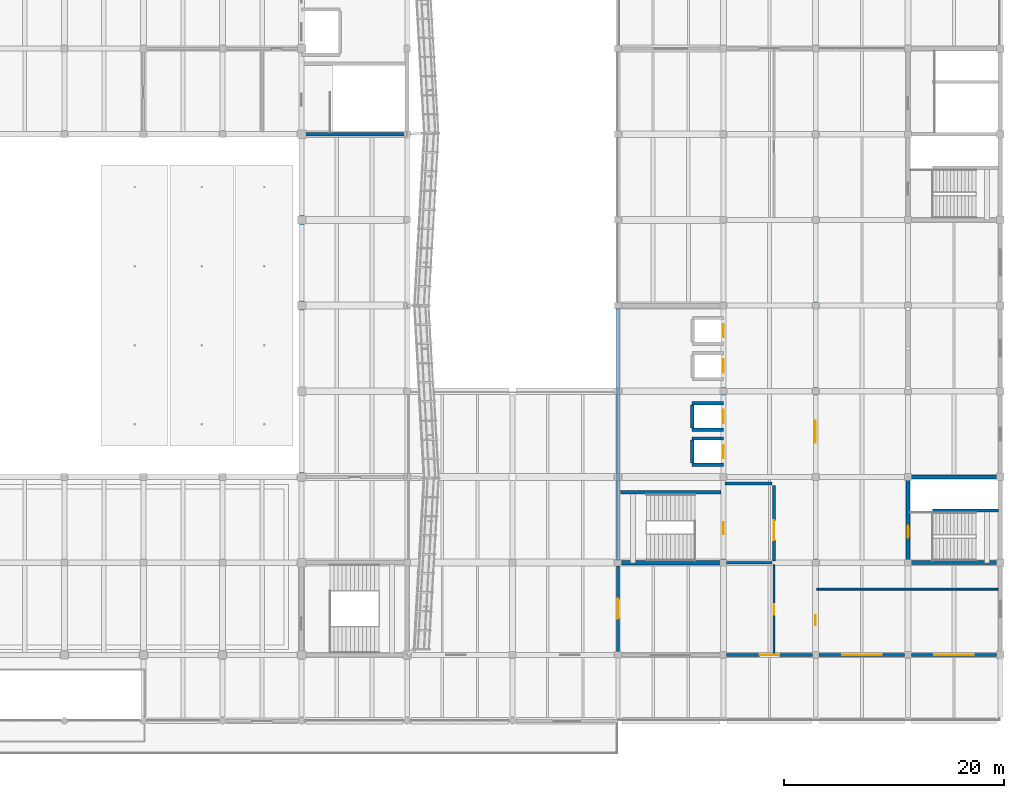
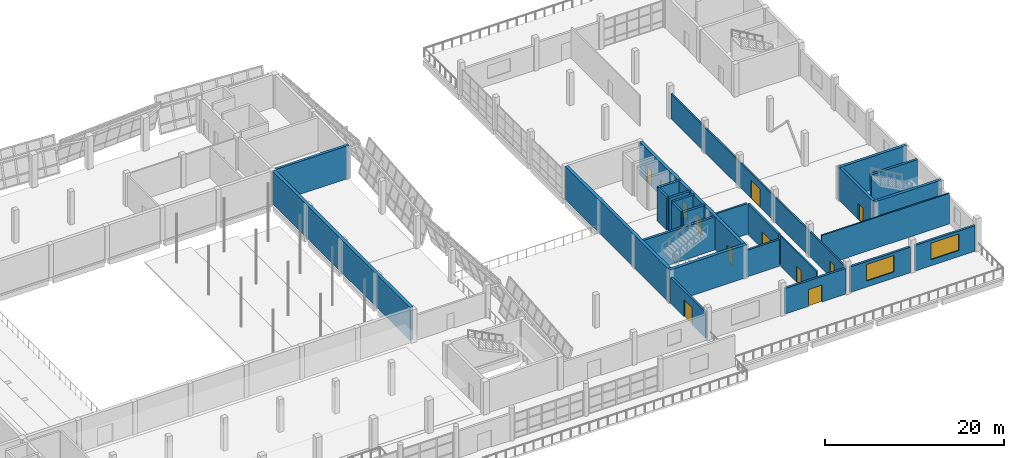
# One storey, part 57 of 71: 26 walls, 12 doors, 2 windows, 14 openings.
"""IFC4 building model written with IfcOpenShell, lengths in metres."""

from ifc_helpers import new_model, si_unit, direction, frame, frame_2d, origin, place, context, subcontext, project, spatial, rectangle, extrude, material, layer, layer_set, type_object, element, fill, save


model = new_model("IFC4")

# Units and contexts
model_context = context("Model", 3, precision=1e-05, world=origin(), true_north=direction((0.0, 1.0)))
body_context = subcontext(model_context, "Body", "Model", "MODEL_VIEW")
ifc_project = project(units=[si_unit("LENGTHUNIT", "METRE"), si_unit("AREAUNIT", "SQUARE_METRE"), si_unit("VOLUMEUNIT", "CUBIC_METRE"), si_unit("PLANEANGLEUNIT", "RADIAN"), si_unit("MASSUNIT", "GRAM", prefix="KILO")], contexts=[model_context])

# Site, building, storey
site_placement = place(None, origin())
site = spatial("IfcSite", under=ifc_project, at=site_placement, CompositionType="ELEMENT")
building_placement = place(site_placement, origin())
building = spatial("IfcBuilding", under=site, at=building_placement, Name="Pellamere Symphony Hall", CompositionType="ELEMENT")
storey_placement = place(building_placement, frame((0.0, 0.0, 15.0)))
storey = spatial("IfcBuildingStorey", under=building, at=storey_placement, Name="L03", CompositionType="ELEMENT", Elevation=15.0)

# Wall, opening, door
ifc_material_1 = material(Name="Architectural Limestone-Clad Insulated Backing Assembly", Category="masonry")
ifc_layer_1 = layer(ifc_material_1, 0.280029296875, Name="Architectural Limestone-Clad Insulated Backing Assembly")
ifc_layer_set_1 = layer_set([ifc_layer_1], Name="Architectural Limestone-Clad Insulated Backing Assembly")
wall_type_1 = type_object("IfcWallType", Name="Exterior Wall EW-03 280mm", PredefinedType="SOLIDWALL", material=ifc_layer_set_1)
wall_1_placement = place(storey_placement, frame((147.89990234375, 30.0, 0.0), z_axis=(0.0, 0.0, 1.0), x_axis=(1.0, 0.0, 0.0)))
wall_1 = element("IfcWall", 1, at=wall_1_placement, inside=storey, type_object=wall_type_1, Name="Exterior Wall EW-03-112 (L03)", PredefinedType="SOLIDWALL", context=body_context, shape_type="SweptSolid", body=[
    extrude(rectangle(XDim=7.800048828125, YDim=0.280029296875, at=frame_2d((3.89990234375, 0.0))), origin(), (0.0, 0.0, 1.0), 3.5),
])
opening_1_placement = place(wall_1_placement, frame((3.0, 0.0, 0.0)))
opening_1 = element("IfcOpeningElement", 2, at=opening_1_placement, cuts=wall_1, Name="Opening TD-09", PredefinedType="OPENING", context=body_context, shape_type="SweptSolid", body=[
    extrude(rectangle(XDim=1.800048828125, YDim=2.300048828125, at=frame_2d((0.89990234375, 1.14990234375))), frame((0.0, 0.14990234375, 0.0), z_axis=(0.0, -1.0, 0.0), x_axis=(1.0, 0.0, 0.0)), (0.0, 0.0, 1.0), 0.300048828125),
])
ifc_material_2 = material(Name="Thermally Broken Bronze-Anodised Aluminium Acoustic Door", Category="aluminium")
door_type_1 = type_object("IfcDoorType", Name="Exterior Door ED-06 1800x2300", OperationType="NOTDEFINED", PredefinedType="DOOR", material=ifc_material_2)
door_1_placement = place(opening_1_placement, frame((1.800048828125, 0.0, 0.0), z_axis=(0.0, 0.0, 1.0), x_axis=(-1.0, 0.0, 0.0)))
door_1 = element("IfcDoor", 3, at=door_1_placement, inside=storey, type_object=door_type_1, Name="Ensemble Wing South Terrace Door", OperationType="DOUBLE_DOOR_SINGLE_SWING", OverallHeight=2.300048828125, OverallWidth=1.800048828125, PredefinedType="DOOR", context=body_context, shape_type="SweptSolid", body=[
    extrude(rectangle(XDim=1.800048828125, YDim=2.300048828125, at=frame_2d((0.89990234375, 1.14990234375))), frame((0.0, 0.02490234375, 0.0), z_axis=(0.0, -1.0, 0.0), x_axis=(1.0, 0.0, 0.0)), (0.0, 0.0, 1.0), 0.050048828125),
])
fill(opening_1, door_1)

# Wall, opening, window
wall_2_placement = place(storey_placement, frame((156.300048828125, 30.0, 0.0), z_axis=(0.0, 0.0, 1.0), x_axis=(1.0, 0.0, 0.0)))
wall_2 = element("IfcWall", 4, at=wall_2_placement, inside=storey, type_object=wall_type_1, Name="Exterior Wall EW-03-113 (L03)", PredefinedType="SOLIDWALL", context=body_context, shape_type="SweptSolid", body=[
    extrude(rectangle(XDim=7.800048828125, YDim=0.280029296875, at=frame_2d((3.89990234375, 0.0))), origin(), (0.0, 0.0, 1.0), 3.5),
])
opening_2_placement = place(wall_2_placement, frame((2.10009765625, 0.0, 0.85009765625)))
opening_2 = element("IfcOpeningElement", 5, at=opening_2_placement, cuts=wall_2, Name="Opening W075", PredefinedType="OPENING", context=body_context, shape_type="SweptSolid", body=[
    extrude(rectangle(XDim=3.60009765625, YDim=2.25, at=frame_2d((1.800048828125, 1.125))), frame((0.0, 0.14990234375, 0.0), z_axis=(0.0, -1.0, 0.0), x_axis=(1.0, 0.0, 0.0)), (0.0, 0.0, 1.0), 0.300048828125),
])
ifc_material_3 = material(Name="Thermally Broken Aluminium Triple-Glazed Acoustic Window", Category="aluminium")
window_type = type_object("IfcWindowType", Name="Window WN-05 3600x2250", PartitioningType="TRIPLE_PANEL_VERTICAL", PredefinedType="WINDOW", material=ifc_material_3)
window_1_placement = place(opening_2_placement, origin())
window_1 = element("IfcWindow", 6, at=window_1_placement, inside=storey, type_object=window_type, Name="Exterior Window W075 (L03)", OverallHeight=2.25, OverallWidth=3.60009765625, PartitioningType="SINGLE_PANEL", PredefinedType="WINDOW", context=body_context, shape_type="SweptSolid", body=[
    extrude(rectangle(XDim=3.60009765625, YDim=2.25, at=frame_2d((1.800048828125, 1.125))), frame((0.0, 0.030029296875, 0.0), z_axis=(0.0, -1.0, 0.0), x_axis=(1.0, 0.0, 0.0)), (0.0, 0.0, 1.0), 0.06005859375),
])
fill(opening_2, window_1)

wall_3_placement = place(storey_placement, frame((164.699951171875, 30.0, 0.0), z_axis=(0.0, 0.0, 1.0), x_axis=(1.0, 0.0, 0.0)))
wall_3 = element("IfcWall", 7, at=wall_3_placement, inside=storey, type_object=wall_type_1, Name="Exterior Wall EW-03-114 (L03)", PredefinedType="SOLIDWALL", context=body_context, shape_type="SweptSolid", body=[
    extrude(rectangle(XDim=7.760009765625, YDim=0.280029296875, at=frame_2d((3.8798828125, 0.0))), origin(), (0.0, 0.0, 1.0), 3.5),
])
opening_3_placement = place(wall_3_placement, frame((2.080078125, 0.0, 0.85009765625)))
opening_3 = element("IfcOpeningElement", 8, at=opening_3_placement, cuts=wall_3, Name="Opening W076", PredefinedType="OPENING", context=body_context, shape_type="SweptSolid", body=[
    extrude(rectangle(XDim=3.60009765625, YDim=2.25, at=frame_2d((1.800048828125, 1.125))), frame((0.0, 0.14990234375, 0.0), z_axis=(0.0, -1.0, 0.0), x_axis=(1.0, 0.0, 0.0)), (0.0, 0.0, 1.0), 0.300048828125),
])
window_2_placement = place(opening_3_placement, origin())
window_2 = element("IfcWindow", 9, at=window_2_placement, inside=storey, type_object=window_type, Name="Exterior Window W076 (L03)", OverallHeight=2.25, OverallWidth=3.60009765625, PartitioningType="SINGLE_PANEL", PredefinedType="WINDOW", context=body_context, shape_type="SweptSolid", body=[
    extrude(rectangle(XDim=3.60009765625, YDim=2.25, at=frame_2d((1.800048828125, 1.125))), frame((0.0, 0.030029296875, 0.0), z_axis=(0.0, -1.0, 0.0), x_axis=(1.0, 0.0, 0.0)), (0.0, 0.0, 1.0), 0.06005859375),
])
fill(opening_3, window_2)

# Wall, opening, door
wall_4_placement = place(storey_placement, frame((138.0, 30.300048828125, 0.0), z_axis=(0.0, 0.0, 1.0), x_axis=(0.0, 1.0, 0.0)))
wall_4 = element("IfcWall", 10, at=wall_4_placement, inside=storey, type_object=wall_type_1, Name="Exterior Wall EW-03-121 (L03)", PredefinedType="SOLIDWALL", context=body_context, shape_type="SweptSolid", body=[
    extrude(rectangle(XDim=7.800048828125, YDim=0.280029296875, at=frame_2d((3.89990234375, 0.0))), origin(), (0.0, 0.0, 1.0), 3.52001953125),
])
opening_4_placement = place(wall_4_placement, frame((3.0, 0.0, 0.0)))
opening_4 = element("IfcOpeningElement", 11, at=opening_4_placement, cuts=wall_4, Name="Opening TD-07", PredefinedType="OPENING", context=body_context, shape_type="SweptSolid", body=[
    extrude(rectangle(XDim=1.800048828125, YDim=2.300048828125, at=frame_2d((0.89990234375, 1.14990234375))), frame((0.0, 0.14990234375, 0.0), z_axis=(0.0, -1.0, 0.0), x_axis=(1.0, 0.0, 0.0)), (0.0, 0.0, 1.0), 0.300048828125),
])
door_2_placement = place(opening_4_placement, origin())
door_2 = element("IfcDoor", 12, at=door_2_placement, inside=storey, type_object=door_type_1, Name="Sculpture Court Belvedere Terrace East Door", OperationType="DOUBLE_DOOR_SINGLE_SWING", OverallHeight=2.300048828125, OverallWidth=1.800048828125, PredefinedType="DOOR", context=body_context, shape_type="SweptSolid", body=[
    extrude(rectangle(XDim=1.800048828125, YDim=2.300048828125, at=frame_2d((0.89990234375, 1.14990234375))), frame((0.0, 0.02490234375, 0.0), z_axis=(0.0, -1.0, 0.0), x_axis=(1.0, 0.0, 0.0)), (0.0, 0.0, 1.0), 0.050048828125),
])
fill(opening_4, door_2)

# Walls
ifc_material_4 = material(Name="Double-Stud STC-65 Acoustic Drywall Partition", Category="gypsum")
ifc_layer_2 = layer(ifc_material_4, 0.239990234375, Name="Double-Stud STC-65 Acoustic Drywall Partition")
ifc_layer_set_2 = layer_set([ifc_layer_2], Name="Double-Stud STC-65 Acoustic Drywall Partition")
wall_type_2 = type_object("IfcWallType", Name="Interior Partition IW-01 240mm", PredefinedType="PARTITIONING", material=ifc_layer_set_2)
wall_5_placement = place(storey_placement, frame((147.760009765625, 38.39990234375, 0.0), z_axis=(0.0, 0.0, 1.0), x_axis=(1.0, 0.0, 0.0)))
element("IfcWall", 13, at=wall_5_placement, inside=storey, type_object=wall_type_2, Name="Interior Partition IW-01-033 (L03)", PredefinedType="PARTITIONING", context=body_context, shape_type="SweptSolid", body=[
    extrude(rectangle(XDim=4.280029296875, YDim=0.239990234375, at=frame_2d((2.14013671875, 0.0))), origin(), (0.0, 0.0, 1.0), 3.639892578125),
])
wall_6_placement = place(storey_placement, frame((147.760009765625, 45.60009765625, 0.0), z_axis=(0.0, 0.0, 1.0), x_axis=(1.0, 0.0, 0.0)))
element("IfcWall", 14, at=wall_6_placement, inside=storey, type_object=wall_type_2, Name="Interior Partition IW-01-034 (L03)", PredefinedType="PARTITIONING", context=body_context, shape_type="SweptSolid", body=[
    extrude(rectangle(XDim=4.280029296875, YDim=0.239990234375, at=frame_2d((2.14013671875, 0.0))), origin(), (0.0, 0.0, 1.0), 4.18994140625),
])

# Wall, opening, door
wall_7_placement = place(storey_placement, frame((152.199951171875, 38.56005859375, 0.0), z_axis=(0.0, 0.0, 1.0), x_axis=(0.0, 1.0, 0.0)))
wall_7 = element("IfcWall", 15, at=wall_7_placement, inside=storey, type_object=wall_type_2, Name="Interior Partition IW-01-035 (L03)", PredefinedType="PARTITIONING", context=body_context, shape_type="SweptSolid", body=[
    extrude(rectangle(XDim=6.8798828125, YDim=0.239990234375, at=frame_2d((3.43994140625, 0.0))), origin(), (0.0, 0.0, 1.0), 4.18994140625),
])
opening_5_placement = place(wall_7_placement, frame((1.89990234375, 0.0, 0.0)))
opening_5 = element("IfcOpeningElement", 16, at=opening_5_placement, cuts=wall_7, Name="Opening FD-15", PredefinedType="OPENING", context=body_context, shape_type="SweptSolid", body=[
    extrude(rectangle(XDim=1.800048828125, YDim=2.300048828125, at=frame_2d((0.89990234375, 1.14990234375))), frame((0.0, 0.1298828125, 0.0), z_axis=(0.0, -1.0, 0.0), x_axis=(1.0, 0.0, 0.0)), (0.0, 0.0, 1.0), 0.260009765625),
])
ifc_material_5 = material(Name="Fire-Rated Cross-Corridor Double Door", Category="wood")
door_type_2 = type_object("IfcDoorType", Name="Interior Door ID-FD1 1800x2300", OperationType="NOTDEFINED", PredefinedType="DOOR", material=ifc_material_5)
door_3_placement = place(opening_5_placement, origin())
door_3 = element("IfcDoor", 17, at=door_3_placement, inside=storey, type_object=door_type_2, Name="Firefighting Lobby C2 Foyer Entry Door (L03)", OperationType="DOUBLE_DOOR_SINGLE_SWING", OverallHeight=2.300048828125, OverallWidth=1.800048828125, PredefinedType="DOOR", context=body_context, shape_type="SweptSolid", body=[
    extrude(rectangle(XDim=1.800048828125, YDim=2.300048828125, at=frame_2d((0.89990234375, 1.14990234375))), frame((0.0, 0.02490234375, 0.0), z_axis=(0.0, -1.0, 0.0), x_axis=(1.0, 0.0, 0.0)), (0.0, 0.0, 1.0), 0.050048828125),
])
fill(opening_5, door_3)

# Wall, openings, doors
ifc_material_6 = material(Name="Fire-Rated STC-58 Corridor Acoustic Partition", Category="gypsum")
ifc_layer_3 = layer(ifc_material_6, 0.199951171875, Name="Fire-Rated STC-58 Corridor Acoustic Partition")
ifc_layer_set_3 = layer_set([ifc_layer_3], Name="Fire-Rated STC-58 Corridor Acoustic Partition")
wall_type_3 = type_object("IfcWallType", Name="Interior Partition IW-02 200mm", PredefinedType="PARTITIONING", material=ifc_layer_set_3)
wall_8_placement = place(storey_placement, frame((156.0, 30.31005859375, 0.0), z_axis=(0.0, 0.0, 1.0), x_axis=(0.0, 1.0, 0.0)))
wall_8 = element("IfcWall", 18, at=wall_8_placement, inside=storey, type_object=wall_type_3, Name="Interior Partition IW-02-094 (L03)", PredefinedType="PARTITIONING", context=body_context, shape_type="SweptSolid", body=[
    extrude(rectangle(XDim=38.97998046875, YDim=0.199951171875, at=frame_2d((19.489990234375, 0.0))), origin(), (0.0, 0.0, 1.0), 3.419921875),
])
opening_6_placement = place(wall_8_placement, frame((2.39990234375, 0.0, 0.0)))
opening_6 = element("IfcOpeningElement", 19, at=opening_6_placement, cuts=wall_8, Name="Opening ID-WC1-055", PredefinedType="OPENING", context=body_context, shape_type="SweptSolid", body=[
    extrude(rectangle(XDim=0.919921875, YDim=2.14990234375, at=frame_2d((0.4599609375, 1.074951171875))), frame((0.0, 0.10986328125, 0.0), z_axis=(0.0, -1.0, 0.0), x_axis=(1.0, 0.0, 0.0)), (0.0, 0.0, 1.0), 0.219970703125),
])
opening_7_placement = place(wall_8_placement, frame((19.0, 0.0, 0.0)))
opening_7 = element("IfcOpeningElement", 20, at=opening_7_placement, cuts=wall_8, Name="Opening ID-AD1-056", PredefinedType="OPENING", context=body_context, shape_type="SweptSolid", body=[
    extrude(rectangle(XDim=2.0, YDim=2.449951171875, at=frame_2d((1.0, 1.22509765625))), frame((0.0, 0.10986328125, 0.0), z_axis=(0.0, -1.0, 0.0), x_axis=(1.0, 0.0, 0.0)), (0.0, 0.0, 1.0), 0.219970703125),
])
ifc_material_7 = material(Name="STC-55 Solid White Oak Acoustic Hall Entry Door", Category="wood")
door_type_3 = type_object("IfcDoorType", Name="Interior Door ID-AD1 2000x2450", OperationType="NOTDEFINED", PredefinedType="DOOR", material=ifc_material_7)
door_4_placement = place(opening_7_placement, origin())
door_4 = element("IfcDoor", 21, at=door_4_placement, inside=storey, type_object=door_type_3, Name="Symphonic Chorus Rehearsal Hall Door", OperationType="DOUBLE_DOOR_SINGLE_SWING", OverallHeight=2.449951171875, OverallWidth=2.0, PredefinedType="DOOR", context=body_context, shape_type="SweptSolid", body=[
    extrude(rectangle(XDim=2.0, YDim=2.449951171875, at=frame_2d((1.0, 1.22509765625))), frame((0.0, 0.02490234375, 0.0), z_axis=(0.0, -1.0, 0.0), x_axis=(1.0, 0.0, 0.0)), (0.0, 0.0, 1.0), 0.050048828125),
])
fill(opening_7, door_4)
ifc_material_8 = material(Name="Accessible Washroom Privacy Door", Category="wood")
door_type_4 = type_object("IfcDoorType", Name="Interior Door ID-WC1 920x2150", OperationType="NOTDEFINED", PredefinedType="DOOR", material=ifc_material_8)
door_5_placement = place(opening_6_placement, origin())
door_5 = element("IfcDoor", 22, at=door_5_placement, inside=storey, type_object=door_type_4, Name="Level 3 Chorus Washrooms Door", OperationType="SINGLE_SWING_LEFT", OverallHeight=2.14990234375, OverallWidth=0.919921875, PredefinedType="DOOR", context=body_context, shape_type="SweptSolid", body=[
    extrude(rectangle(XDim=0.919921875, YDim=2.14990234375, at=frame_2d((0.4599609375, 1.074951171875))), frame((0.0, 0.02490234375, 0.0), z_axis=(0.0, -1.0, 0.0), x_axis=(1.0, 0.0, 0.0)), (0.0, 0.0, 1.0), 0.050048828125),
])
fill(opening_6, door_5)

# Wall, opening, door
ifc_material_9 = material(Name="Practice Room STC-55 Isolated Stud Partition", Category="gypsum")
ifc_layer_4 = layer(ifc_material_9, 0.159912109375, Name="Practice Room STC-55 Isolated Stud Partition")
ifc_layer_set_4 = layer_set([ifc_layer_4], Name="Practice Room STC-55 Isolated Stud Partition")
wall_type_4 = type_object("IfcWallType", Name="Interior Partition IW-03 160mm", PredefinedType="PARTITIONING", material=ifc_layer_set_4)
wall_9_placement = place(storey_placement, frame((152.199951171875, 30.14990234375, 0.0), z_axis=(0.0, 0.0, 1.0), x_axis=(0.0, 1.0, 0.0)))
wall_9 = element("IfcWall", 23, at=wall_9_placement, inside=storey, type_object=wall_type_4, Name="Interior Partition IW-03-092 (L03)", PredefinedType="PARTITIONING", context=body_context, shape_type="SweptSolid", body=[
    extrude(rectangle(XDim=8.070068359375, YDim=0.159912109375, at=frame_2d((4.03515625, 0.0))), origin(), (0.0, 0.0, 1.0), 4.18994140625),
])
opening_8_placement = place(wall_9_placement, frame((3.5, 0.0, 0.0)))
opening_8 = element("IfcOpeningElement", 24, at=opening_8_placement, cuts=wall_9, Name="Opening ID-AD3-053", PredefinedType="OPENING", context=body_context, shape_type="SweptSolid", body=[
    extrude(rectangle(XDim=0.97998046875, YDim=2.199951171875, at=frame_2d((0.489990234375, 1.10009765625))), frame((0.0, 0.08984375, 0.0), z_axis=(0.0, -1.0, 0.0), x_axis=(1.0, 0.0, 0.0)), (0.0, 0.0, 1.0), 0.179931640625),
])
ifc_material_10 = material(Name="STC-48 Acoustic Practice Room Door", Category="wood")
door_type_5 = type_object("IfcDoorType", Name="Interior Door ID-AD3 980x2200", OperationType="NOTDEFINED", PredefinedType="DOOR", material=ifc_material_10)
door_6_placement = place(opening_8_placement, origin())
door_6 = element("IfcDoor", 25, at=door_6_placement, inside=storey, type_object=door_type_5, Name="Children Choir Room Door", OperationType="SINGLE_SWING_RIGHT", OverallHeight=2.199951171875, OverallWidth=0.97998046875, PredefinedType="DOOR", context=body_context, shape_type="SweptSolid", body=[
    extrude(rectangle(XDim=0.97998046875, YDim=2.199951171875, at=frame_2d((0.489990234375, 1.10009765625))), frame((0.0, 0.02490234375, 0.0), z_axis=(0.0, -1.0, 0.0), x_axis=(1.0, 0.0, 0.0)), (0.0, 0.0, 1.0), 0.050048828125),
])
fill(opening_8, door_6)

# Walls
ifc_material_11 = material(Name="Moisture-Resistant Ceramic-Tiled Washroom Wall", Category="gypsum")
ifc_layer_5 = layer(ifc_material_11, 0.179931640625, Name="Moisture-Resistant Ceramic-Tiled Washroom Wall")
ifc_layer_set_5 = layer_set([ifc_layer_5], Name="Moisture-Resistant Ceramic-Tiled Washroom Wall")
wall_type_5 = type_object("IfcWallType", Name="Interior Partition IW-06 180mm", PredefinedType="PARTITIONING", material=ifc_layer_set_5)
wall_10_placement = place(storey_placement, frame((156.110107421875, 36.0, 0.0), z_axis=(0.0, 0.0, 1.0), x_axis=(1.0, 0.0, 0.0)))
element("IfcWall", 26, at=wall_10_placement, inside=storey, type_object=wall_type_5, Name="Interior Partition IW-06-095 (L03)", PredefinedType="PARTITIONING", context=body_context, shape_type="SweptSolid", body=[
    extrude(rectangle(XDim=16.539794921875, YDim=0.179931640625, at=frame_2d((8.27001953125, 0.0))), origin(), (0.0, 0.0, 1.0), 4.18994140625),
])
ifc_material_12 = material(Name="Concrete 50 MPa", Category="concrete")
ifc_layer_6 = layer(ifc_material_12, 0.39990234375, Name="Concrete 50 MPa")
ifc_layer_set_6 = layer_set([ifc_layer_6], Name="Concrete 50 MPa")
wall_type_6 = type_object("IfcWallType", Name="Structural Wall SW-02 400mm", PredefinedType="SHEAR", material=ifc_layer_set_6)
wall_11_placement = place(storey_placement, frame((137.800048828125, 38.39990234375, 0.0), z_axis=(0.0, 0.0, 1.0), x_axis=(1.0, 0.0, 0.0)))
element("IfcWall", 27, at=wall_11_placement, inside=storey, type_object=wall_type_6, Name="Core Shear Wall C2 S (L03)", PredefinedType="SHEAR", context=body_context, shape_type="SweptSolid", body=[
    extrude(rectangle(XDim=10.0, YDim=0.39990234375, at=frame_2d((5.0, 0.0))), origin(), (0.0, 0.0, 1.0), 4.5),
])
wall_12_placement = place(storey_placement, frame((138.0, 38.60009765625, 0.0), z_axis=(0.0, 0.0, 1.0), x_axis=(0.0, 1.0, 0.0)))
element("IfcWall", 28, at=wall_12_placement, inside=storey, type_object=wall_type_6, Name="Core Shear Wall C2 W (L03)", PredefinedType="SHEAR", context=body_context, shape_type="SweptSolid", body=[
    extrude(rectangle(XDim=23.0, YDim=0.39990234375, at=frame_2d((11.5, 0.0))), origin(), (0.0, 0.0, 1.0), 4.5),
])

# Wall, openings, doors
wall_13_placement = place(storey_placement, frame((147.60009765625, 38.60009765625, 0.0), z_axis=(0.0, 0.0, 1.0), x_axis=(0.0, 1.0, 0.0)))
wall_13 = element("IfcWall", 29, at=wall_13_placement, inside=storey, type_object=wall_type_6, Name="Core Shear Wall C2 E (L03)", PredefinedType="SHEAR", context=body_context, shape_type="SweptSolid", body=[
    extrude(rectangle(XDim=23.0, YDim=0.39990234375, at=frame_2d((11.5, 0.0))), origin(), (0.0, 0.0, 1.0), 4.5),
])
opening_9_placement = place(wall_13_placement, frame((9.300048828125, 0.0, 0.0)))
opening_9 = element("IfcOpeningElement", 30, at=opening_9_placement, cuts=wall_13, Name="Opening LD-17", PredefinedType="OPENING", context=body_context, shape_type="SweptSolid", body=[
    extrude(rectangle(XDim=1.199951171875, YDim=2.199951171875, at=frame_2d((0.60009765625, 1.10009765625))), frame((0.0, 0.2099609375, 0.0), z_axis=(0.0, -1.0, 0.0), x_axis=(1.0, 0.0, 0.0)), (0.0, 0.0, 1.0), 0.419921875),
])
opening_10_placement = place(wall_13_placement, frame((12.5, 0.0, 0.0)))
opening_10 = element("IfcOpeningElement", 31, at=opening_10_placement, cuts=wall_13, Name="Opening LD-25", PredefinedType="OPENING", context=body_context, shape_type="SweptSolid", body=[
    extrude(rectangle(XDim=1.199951171875, YDim=2.199951171875, at=frame_2d((0.60009765625, 1.10009765625))), frame((0.0, 0.2099609375, 0.0), z_axis=(0.0, -1.0, 0.0), x_axis=(1.0, 0.0, 0.0)), (0.0, 0.0, 1.0), 0.419921875),
])
opening_11_placement = place(wall_13_placement, frame((17.10009765625, 0.0, 0.0)))
opening_11 = element("IfcOpeningElement", 32, at=opening_11_placement, cuts=wall_13, Name="Opening LD-33", PredefinedType="OPENING", context=body_context, shape_type="SweptSolid", body=[
    extrude(rectangle(XDim=1.199951171875, YDim=2.199951171875, at=frame_2d((0.60009765625, 1.10009765625))), frame((0.0, 0.2099609375, 0.0), z_axis=(0.0, -1.0, 0.0), x_axis=(1.0, 0.0, 0.0)), (0.0, 0.0, 1.0), 0.419921875),
])
opening_12_placement = place(wall_13_placement, frame((20.300048828125, 0.0, 0.0)))
opening_12 = element("IfcOpeningElement", 33, at=opening_12_placement, cuts=wall_13, Name="Opening LD-40", PredefinedType="OPENING", context=body_context, shape_type="SweptSolid", body=[
    extrude(rectangle(XDim=1.199951171875, YDim=2.199951171875, at=frame_2d((0.60009765625, 1.10009765625))), frame((0.0, 0.2099609375, 0.0), z_axis=(0.0, -1.0, 0.0), x_axis=(1.0, 0.0, 0.0)), (0.0, 0.0, 1.0), 0.419921875),
])
opening_13_placement = place(wall_13_placement, frame((2.39990234375, 0.0, 0.0)))
opening_13 = element("IfcOpeningElement", 34, at=opening_13_placement, cuts=wall_13, Name="Opening SD-11", PredefinedType="OPENING", context=body_context, shape_type="SweptSolid", body=[
    extrude(rectangle(XDim=1.10009765625, YDim=2.199951171875, at=frame_2d((0.550048828125, 1.10009765625))), frame((0.0, 0.2099609375, 0.0), z_axis=(0.0, -1.0, 0.0), x_axis=(1.0, 0.0, 0.0)), (0.0, 0.0, 1.0), 0.419921875),
])
ifc_material_13 = material(Name="Stainless Steel AISI 316 Elevator Landing Door", Category="steel")
door_type_6 = type_object("IfcDoorType", Name="Interior Door ID-LD1 1200x2200", OperationType="NOTDEFINED", PredefinedType="DOOR", material=ifc_material_13)
door_7_placement = place(opening_9_placement, origin())
door_7 = element("IfcDoor", 35, at=door_7_placement, inside=storey, type_object=door_type_6, Name="Elevator FFL1 Sliding Landing Door (L03)", OperationType="SLIDING_TO_LEFT", OverallHeight=2.199951171875, OverallWidth=1.199951171875, PredefinedType="DOOR", context=body_context, shape_type="SweptSolid", body=[
    extrude(rectangle(XDim=1.199951171875, YDim=2.199951171875, at=frame_2d((0.60009765625, 1.10009765625))), frame((0.0, 0.02490234375, 0.0), z_axis=(0.0, -1.0, 0.0), x_axis=(1.0, 0.0, 0.0)), (0.0, 0.0, 1.0), 0.050048828125),
])
fill(opening_9, door_7)
door_8_placement = place(opening_10_placement, origin())
door_8 = element("IfcDoor", 36, at=door_8_placement, inside=storey, type_object=door_type_6, Name="Elevator FFL2 Sliding Landing Door (L03)", OperationType="SLIDING_TO_LEFT", OverallHeight=2.199951171875, OverallWidth=1.199951171875, PredefinedType="DOOR", context=body_context, shape_type="SweptSolid", body=[
    extrude(rectangle(XDim=1.199951171875, YDim=2.199951171875, at=frame_2d((0.60009765625, 1.10009765625))), frame((0.0, 0.02490234375, 0.0), z_axis=(0.0, -1.0, 0.0), x_axis=(1.0, 0.0, 0.0)), (0.0, 0.0, 1.0), 0.050048828125),
])
fill(opening_10, door_8)
door_9_placement = place(opening_11_placement, origin())
door_9 = element("IfcDoor", 37, at=door_9_placement, inside=storey, type_object=door_type_6, Name="Elevator PL3 Sliding Landing Door (L03)", OperationType="SLIDING_TO_LEFT", OverallHeight=2.199951171875, OverallWidth=1.199951171875, PredefinedType="DOOR", context=body_context, shape_type="SweptSolid", body=[
    extrude(rectangle(XDim=1.199951171875, YDim=2.199951171875, at=frame_2d((0.60009765625, 1.10009765625))), frame((0.0, 0.02490234375, 0.0), z_axis=(0.0, -1.0, 0.0), x_axis=(1.0, 0.0, 0.0)), (0.0, 0.0, 1.0), 0.050048828125),
])
fill(opening_11, door_9)
door_10_placement = place(opening_12_placement, origin())
door_10 = element("IfcDoor", 38, at=door_10_placement, inside=storey, type_object=door_type_6, Name="Elevator PL4 Sliding Landing Door (L03)", OperationType="SLIDING_TO_RIGHT", OverallHeight=2.199951171875, OverallWidth=1.199951171875, PredefinedType="DOOR", context=body_context, shape_type="SweptSolid", body=[
    extrude(rectangle(XDim=1.199951171875, YDim=2.199951171875, at=frame_2d((0.60009765625, 1.10009765625))), frame((0.0, 0.02490234375, 0.0), z_axis=(0.0, -1.0, 0.0), x_axis=(1.0, 0.0, 0.0)), (0.0, 0.0, 1.0), 0.050048828125),
])
fill(opening_12, door_10)
ifc_material_14 = material(Name="Fire-Rated Steel Exit Stair Door", Category="steel")
door_type_7 = type_object("IfcDoorType", Name="Interior Door ID-SD1 1100x2200", OperationType="NOTDEFINED", PredefinedType="DOOR", material=ifc_material_14)
door_11_placement = place(opening_13_placement, origin())
door_11 = element("IfcDoor", 39, at=door_11_placement, inside=storey, type_object=door_type_7, Name="Core C2 Exit Stair Door (L03)", OperationType="SINGLE_SWING_LEFT", OverallHeight=2.199951171875, OverallWidth=1.10009765625, PredefinedType="DOOR", context=body_context, shape_type="SweptSolid", body=[
    extrude(rectangle(XDim=1.10009765625, YDim=2.199951171875, at=frame_2d((0.550048828125, 1.10009765625))), frame((0.0, 0.02490234375, 0.0), z_axis=(0.0, -1.0, 0.0), x_axis=(1.0, 0.0, 0.0)), (0.0, 0.0, 1.0), 0.050048828125),
])
fill(opening_13, door_11)

# Walls
ifc_material_15 = material(Name="Concrete 40 MPa", Category="concrete")
ifc_layer_7 = layer(ifc_material_15, 0.35009765625, Name="Concrete 40 MPa")
ifc_layer_set_7 = layer_set([ifc_layer_7], Name="Concrete 40 MPa")
wall_type_7 = type_object("IfcWallType", Name="Structural Wall SW-03 350mm", PredefinedType="SHEAR", material=ifc_layer_set_7)
wall_14_placement = place(storey_placement, frame((109.52001953125, 77.39990234375, 0.0), z_axis=(0.0, 0.0, 1.0), x_axis=(1.0, 0.0, 0.0)))
element("IfcWall", 40, at=wall_14_placement, inside=storey, type_object=wall_type_7, Name="Core Shear Wall C4 S (L03)", PredefinedType="SHEAR", context=body_context, shape_type="SweptSolid", body=[
    extrude(rectangle(XDim=9.455078125, YDim=0.35009765625, at=frame_2d((4.7275390625, 0.0))), origin(), (0.0, 0.0, 1.0), 4.5),
])
for number, where, z_axis, x_axis, name in (
    (41, (164.22509765625, 38.39990234375, 0.0), (0.0, 0.0, 1.0), (1.0, 0.0, 0.0), "Stair ST06 Enclosure Wall S (L03)"),
    (42, (164.22509765625, 46.199951171875, 0.0), (0.0, 0.0, 1.0), (1.0, 0.0, 0.0), "Stair ST06 Enclosure Wall N (L03)"),
):
    element("IfcWall", number, at=place(storey_placement, frame(where, z_axis=z_axis, x_axis=x_axis)), inside=storey, type_object=wall_type_7, Name=name, PredefinedType="SHEAR", context=body_context, shape_type="SweptSolid", body=[
        extrude(rectangle(XDim=8.75, YDim=0.35009765625, at=frame_2d((4.375, 0.0))), origin(), (0.0, 0.0, 1.0), 4.5),
    ])

# Wall, opening, door
wall_15_placement = place(storey_placement, frame((164.39990234375, 38.574951171875, 0.0), z_axis=(0.0, 0.0, 1.0), x_axis=(0.0, 1.0, 0.0)))
wall_15 = element("IfcWall", 43, at=wall_15_placement, inside=storey, type_object=wall_type_7, Name="Stair ST06 Enclosure Wall W (L03)", PredefinedType="SHEAR", context=body_context, shape_type="SweptSolid", body=[
    extrude(rectangle(XDim=7.449951171875, YDim=0.35009765625, at=frame_2d((3.72509765625, 0.0))), origin(), (0.0, 0.0, 1.0), 4.5),
])
opening_14_placement = place(wall_15_placement, frame((2.10009765625, 0.0, 0.0)))
opening_14 = element("IfcOpeningElement", 44, at=opening_14_placement, cuts=wall_15, Name="Opening SD-33", PredefinedType="OPENING", context=body_context, shape_type="SweptSolid", body=[
    extrude(rectangle(XDim=1.10009765625, YDim=2.199951171875, at=frame_2d((0.550048828125, 1.10009765625))), frame((0.0, 0.18505859375, 0.0), z_axis=(0.0, -1.0, 0.0), x_axis=(1.0, 0.0, 0.0)), (0.0, 0.0, 1.0), 0.3701171875),
])
door_12_placement = place(opening_14_placement, frame((1.10009765625, 0.0, 0.0), z_axis=(0.0, 0.0, 1.0), x_axis=(-1.0, 0.0, 0.0)))
door_12 = element("IfcDoor", 45, at=door_12_placement, inside=storey, type_object=door_type_7, Name="Exit Stair ST06 Door (L03)", OperationType="SINGLE_SWING_LEFT", OverallHeight=2.199951171875, OverallWidth=1.10009765625, PredefinedType="DOOR", context=body_context, shape_type="SweptSolid", body=[
    extrude(rectangle(XDim=1.10009765625, YDim=2.199951171875, at=frame_2d((0.550048828125, 1.10009765625))), frame((0.0, 0.02490234375, 0.0), z_axis=(0.0, -1.0, 0.0), x_axis=(1.0, 0.0, 0.0)), (0.0, 0.0, 1.0), 0.050048828125),
])
fill(opening_14, door_12)

# Walls
ifc_layer_8 = layer(ifc_material_15, 0.300048828125, Name="Concrete 40 MPa")
ifc_layer_set_8 = layer_set([ifc_layer_8], Name="Concrete 40 MPa")
wall_type_8 = type_object("IfcWallType", Name="Structural Wall SW-04 300mm", PredefinedType="SHEAR", material=ifc_layer_set_8)
wall_16_placement = place(storey_placement, frame((166.625, 43.14990234375, 0.0), z_axis=(0.0, 0.0, 1.0), x_axis=(1.0, 0.0, 0.0)))
element("IfcWall", 46, at=wall_16_placement, inside=storey, type_object=wall_type_8, Name="Stair ST06 Discharge Divider Wall (L03)", PredefinedType="SHEAR", context=body_context, shape_type="SweptSolid", body=[
    extrude(rectangle(XDim=5.9951171875, YDim=0.300048828125, at=frame_2d((2.99755859375, 0.0))), origin(), (0.0, 0.0, 1.0), 4.5),
])
for number, where, z_axis, x_axis, name in (
    (47, (144.75, 47.300048828125, 0.0), (0.0, 0.0, 1.0), (1.0, 0.0, 0.0), "Elevator FFL1 Hoistway Wall S (L03)"),
    (48, (144.75, 49.699951171875, 0.0), (0.0, 0.0, 1.0), (1.0, 0.0, 0.0), "Elevator FFL1 Hoistway Wall N (L03)"),
):
    element("IfcWall", number, at=place(storey_placement, frame(where, z_axis=z_axis, x_axis=x_axis)), inside=storey, type_object=wall_type_8, Name=name, PredefinedType="SHEAR", context=body_context, shape_type="SweptSolid", body=[
        extrude(rectangle(XDim=2.85009765625, YDim=0.300048828125, at=frame_2d((1.425048828125, 0.0))), origin(), (0.0, 0.0, 1.0), 4.5),
    ])
wall_17_placement = place(storey_placement, frame((144.75, 47.449951171875, 0.0), z_axis=(0.0, 0.0, 1.0), x_axis=(0.0, 1.0, 0.0)))
element("IfcWall", 49, at=wall_17_placement, inside=storey, type_object=wall_type_8, Name="Elevator FFL1 Hoistway Wall W (L03)", PredefinedType="SHEAR", context=body_context, shape_type="SweptSolid", body=[
    extrude(rectangle(XDim=2.10009765625, YDim=0.300048828125, at=frame_2d((1.050048828125, 0.0))), origin(), (0.0, 0.0, 1.0), 4.5),
])
for number, where, z_axis, x_axis, name in (
    (50, (144.75, 50.5, 0.0), (0.0, 0.0, 1.0), (1.0, 0.0, 0.0), "Elevator FFL2 Hoistway Wall S (L03)"),
    (51, (144.75, 52.89990234375, 0.0), (0.0, 0.0, 1.0), (1.0, 0.0, 0.0), "Elevator FFL2 Hoistway Wall N (L03)"),
):
    element("IfcWall", number, at=place(storey_placement, frame(where, z_axis=z_axis, x_axis=x_axis)), inside=storey, type_object=wall_type_8, Name=name, PredefinedType="SHEAR", context=body_context, shape_type="SweptSolid", body=[
        extrude(rectangle(XDim=2.85009765625, YDim=0.300048828125, at=frame_2d((1.425048828125, 0.0))), origin(), (0.0, 0.0, 1.0), 4.5),
    ])
wall_18_placement = place(storey_placement, frame((144.75, 50.64990234375, 0.0), z_axis=(0.0, 0.0, 1.0), x_axis=(0.0, 1.0, 0.0)))
element("IfcWall", 52, at=wall_18_placement, inside=storey, type_object=wall_type_8, Name="Elevator FFL2 Hoistway Wall W (L03)", PredefinedType="SHEAR", context=body_context, shape_type="SweptSolid", body=[
    extrude(rectangle(XDim=2.10009765625, YDim=0.300048828125, at=frame_2d((1.050048828125, 0.0))), origin(), (0.0, 0.0, 1.0), 4.5),
])
ifc_material_16 = material(Name="Architectural warm-pigmented concrete 40 MPa", Category="concrete")
ifc_layer_9 = layer(ifc_material_16, 0.419921875, Name="Architectural warm-pigmented concrete 40 MPa")
ifc_layer_set_9 = layer_set([ifc_layer_9], Name="Architectural warm-pigmented concrete 40 MPa")
wall_type_9 = type_object("IfcWallType", Name="Structural Wall SW-06 420mm", PredefinedType="SOLIDWALL", material=ifc_layer_set_9)
wall_19_placement = place(storey_placement, frame((109.199951171875, 46.409912109375, 0.0), z_axis=(0.0, 0.0, 1.0), x_axis=(0.0, 1.0, 0.0)))
element("IfcWall", 53, at=wall_19_placement, inside=storey, type_object=wall_type_9, Name="Main Hall Acoustic Box Wall AW1-E (L03)", PredefinedType="SOLIDWALL", context=body_context, shape_type="SweptSolid", body=[
    extrude(rectangle(XDim=30.780029296875, YDim=0.419921875, at=frame_2d((15.39013671875, 0.0))), origin(), (0.0, 0.0, 1.0), 4.5),
])
ifc_layer_10 = layer(ifc_material_15, 0.31005859375, Name="Concrete 40 MPa")
ifc_layer_set_10 = layer_set([ifc_layer_10], Name="Concrete 40 MPa")
wall_type_10 = type_object("IfcWallType", Name="Structural Wall SW-08 310mm", PredefinedType="SHEAR", material=ifc_layer_set_10)
wall_20_placement = place(storey_placement, frame((138.219970703125, 44.800048828125, 0.0), z_axis=(0.0, 0.0, 1.0), x_axis=(1.0, 0.0, 0.0)))
element("IfcWall", 54, at=wall_20_placement, inside=storey, type_object=wall_type_10, Name="Core Stair Divider Wall C2 (L03)", PredefinedType="SHEAR", context=body_context, shape_type="SweptSolid", body=[
    extrude(rectangle(XDim=9.159912109375, YDim=0.31005859375, at=frame_2d((4.580078125, 0.0))), origin(), (0.0, 0.0, 1.0), 4.5),
])

save(model, "model.ifc")
